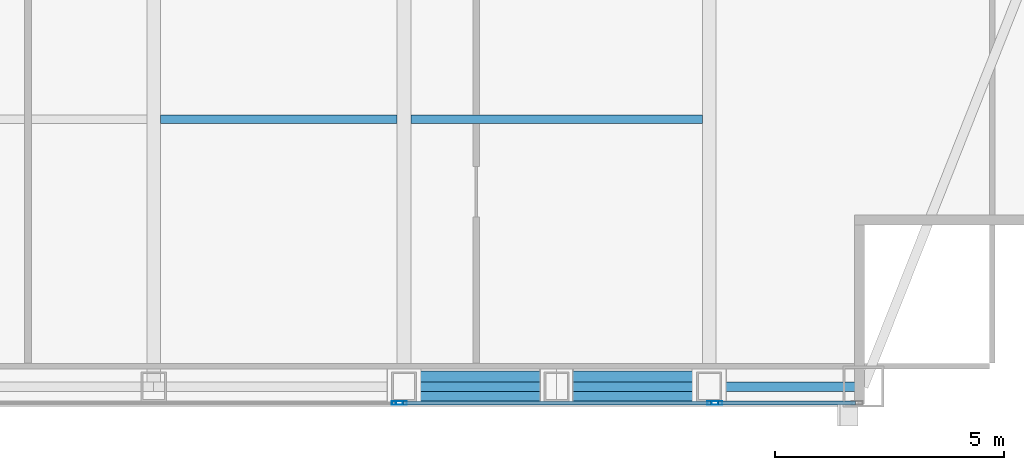
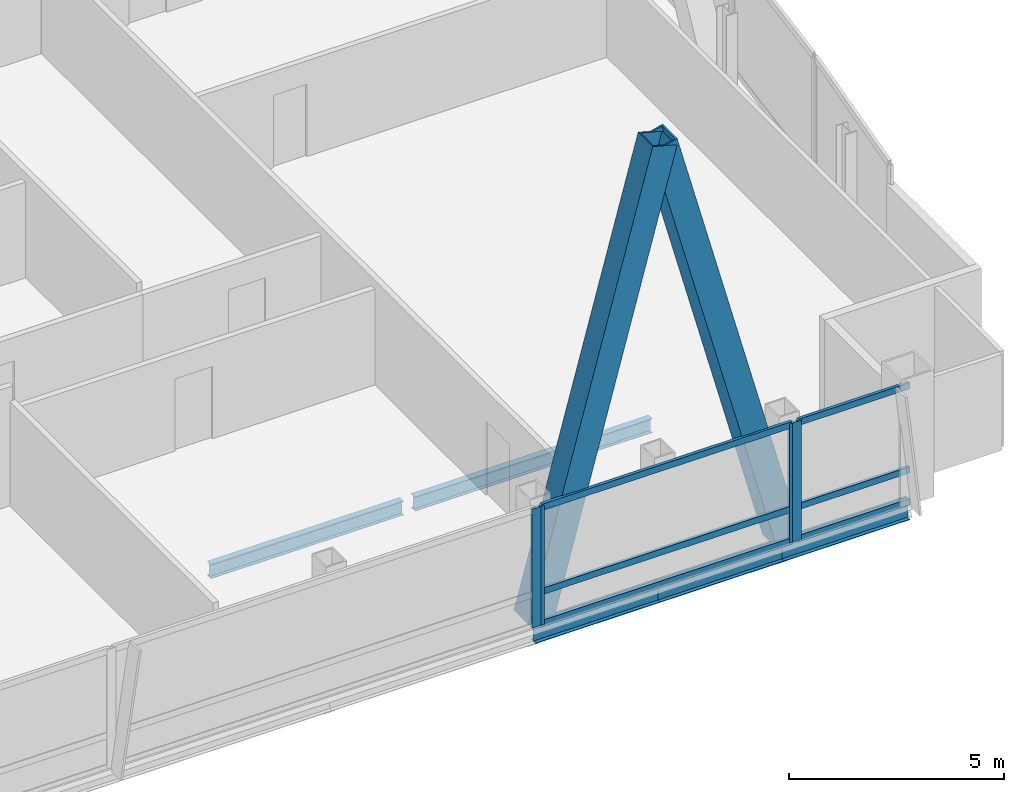
# One storey, part 13 of 29: 12 members, 5 beams, 3 elements without a shape of their own.
"""IFC4 building model written with IfcOpenShell, lengths in metres."""

from ifc_helpers import new_model, si_unit, direction, frame, origin, origin_2d, place, context, subcontext, project, spatial, hollow_rectangle, i_section, extrude, material, material_profile, profile_set, type_object, element, aggregate, save


model = new_model("IFC4")

# Units and contexts
model_context = context("Model", 3, precision=1e-05, world=origin(), true_north=direction((0.0, 1.0)))
body_context = subcontext(model_context, "Body", "Model", "MODEL_VIEW")
ifc_project = project(units=[si_unit("LENGTHUNIT", "METRE"), si_unit("AREAUNIT", "SQUARE_METRE"), si_unit("VOLUMEUNIT", "CUBIC_METRE"), si_unit("PLANEANGLEUNIT", "RADIAN"), si_unit("MASSUNIT", "GRAM", prefix="KILO")], contexts=[model_context])

# Site, building, storey
site_placement = place(None, origin())
site = spatial("IfcSite", under=ifc_project, at=site_placement, CompositionType="ELEMENT")
building_placement = place(site_placement, origin())
building = spatial("IfcBuilding", under=site, at=building_placement, Name="Khoronbel Lancet Exchange", CompositionType="ELEMENT")
storey_placement = place(building_placement, frame((0.0, 0.0, 302.199951171875)))
storey = spatial("IfcBuildingStorey", under=building, at=storey_placement, Name="L78", CompositionType="ELEMENT", Elevation=302.199951171875)

# Beams
ifc_material_1 = material(Name="Steel S355", Category="steel")
ifc_material_profile_1 = material_profile(ifc_material_1, i_section(OverallWidth=0.179931640625, OverallDepth=0.39990234375, WebThickness=0.008544921875, FlangeThickness=0.013427734375, at=origin_2d()), Name="IPE 400")
ifc_profile_set_1 = profile_set([ifc_material_profile_1], Name="Steel S355")
beam_type_1 = type_object("IfcBeamType", Name="BM-BJ5", PredefinedType="JOIST", material=ifc_profile_set_1)
beam_1_placement = place(storey_placement, frame((42.675048828125, 16.0, -0.35986328125), z_axis=(1.0, 0.0, 0.0), x_axis=(0.0, 1.0, 0.0)))
element("IfcBeam", 1, at=beam_1_placement, inside=storey, type_object=beam_type_1, Name="Level L78 secondary composite joist J04", PredefinedType="JOIST", context=body_context, shape_type="SweptSolid", body=[
    extrude(i_section(OverallWidth=0.179931640625, OverallDepth=0.39990234375, WebThickness=0.008544921875, FlangeThickness=0.013427734375, at=origin_2d()), origin(), (0.0, 0.0, 1.0), 5.175048828125),
])
beam_2_placement = place(storey_placement, frame((48.14990234375, 16.0, -0.35986328125), z_axis=(1.0, 0.0, 0.0), x_axis=(0.0, 1.0, 0.0)))
element("IfcBeam", 2, at=beam_2_placement, inside=storey, type_object=beam_type_1, Name="Level L78 secondary composite joist J05", PredefinedType="JOIST", context=body_context, shape_type="SweptSolid", body=[
    extrude(i_section(OverallWidth=0.179931640625, OverallDepth=0.39990234375, WebThickness=0.008544921875, FlangeThickness=0.013427734375, at=origin_2d()), origin(), (0.0, 0.0, 1.0), 6.375),
])
ifc_material_profile_2 = material_profile(ifc_material_1, i_section(OverallWidth=0.2099609375, OverallDepth=0.550048828125, WebThickness=0.010986328125, FlangeThickness=0.01708984375, at=origin_2d()), Name="IPE 550")
ifc_profile_set_2 = profile_set([ifc_material_profile_2], Name="Steel S355")
beam_type_2 = type_object("IfcBeamType", Name="BM-BSP3", PredefinedType="SPANDREL", material=ifc_profile_set_2)
beam_3_placement = place(storey_placement, frame((48.0, 10.14990234375, -0.43505859375), z_axis=(1.0, 0.0, 0.0), x_axis=(0.0, 1.0, 0.0)))
element("IfcBeam", 3, at=beam_3_placement, inside=storey, type_object=beam_type_2, Name="Level L78 perimeter spandrel beam SP07", PredefinedType="SPANDREL", context=body_context, shape_type="SweptSolid", body=[
    extrude(i_section(OverallWidth=0.2099609375, OverallDepth=0.550048828125, WebThickness=0.010986328125, FlangeThickness=0.01708984375, at=origin_2d()), origin(), (0.0, 0.0, 1.0), 3.33740234375),
])
beam_4_placement = place(storey_placement, frame((51.33740234375, 10.14990234375, -0.43505859375), z_axis=(1.0, 0.0, 0.0), x_axis=(0.0, 1.0, 0.0)))
element("IfcBeam", 4, at=beam_4_placement, inside=storey, type_object=beam_type_2, Name="Level L78 perimeter spandrel beam SP08", PredefinedType="SPANDREL", context=body_context, shape_type="SweptSolid", body=[
    extrude(i_section(OverallWidth=0.2099609375, OverallDepth=0.550048828125, WebThickness=0.010986328125, FlangeThickness=0.01708984375, at=origin_2d()), origin(), (0.0, 0.0, 1.0), 3.337646484375),
])
beam_5_placement = place(storey_placement, frame((54.675048828125, 10.14990234375, -0.43505859375), z_axis=(1.0, 0.0, 0.0), x_axis=(0.0, 1.0, 0.0)))
element("IfcBeam", 5, at=beam_5_placement, inside=storey, type_object=beam_type_2, Name="Level L78 perimeter spandrel beam SP09", PredefinedType="SPANDREL", context=body_context, shape_type="SweptSolid", body=[
    extrude(i_section(OverallWidth=0.2099609375, OverallDepth=0.550048828125, WebThickness=0.010986328125, FlangeThickness=0.01708984375, at=origin_2d()), origin(), (0.0, 0.0, 1.0), 3.375),
])

# Curtain wall, member
ifc_material_2 = material(Name="Low-E Solar Control Insulating Glass", Category="glass")
curtain_wall_type = type_object("IfcCurtainWallType", Name="CW-3", PredefinedType="NOTDEFINED", material=ifc_material_2)
curtain_wall_1_placement = place(storey_placement, origin())
curtain_wall_1 = element("IfcCurtainWall", 6, at=curtain_wall_1_placement, inside=storey, type_object=curtain_wall_type, Name="Unitised curtain wall CW-L78-SCV", PredefinedType="NOTDEFINED")
ifc_material_3 = material(Name="Bronze-Anodised Aluminium 6063-T6", Category="aluminium")
ifc_material_profile_3 = material_profile(ifc_material_3, hollow_rectangle(XDim=0.0849609375, YDim=0.239990234375, WallThickness=0.006103515625, at=origin_2d()), Name="ALU MULLION 85x240")
ifc_profile_set_3 = profile_set([ifc_material_profile_3], Name="Bronze-Anodised Aluminium 6063-T6")
member_type_1 = type_object("IfcMemberType", Name="MEM-CWM1", PredefinedType="MULLION", material=ifc_profile_set_3)
member_1_placement = place(storey_placement, frame((47.857421875, 9.7900390625, 0.0), z_axis=(0.0, 0.0, 1.0), x_axis=(0.0, 1.0, 0.0)))
member_1 = element("IfcMember", 7, at=member_1_placement, type_object=member_type_1, Name="CW3 mullion 3", PredefinedType="MULLION", context=body_context, shape_type="SweptSolid", body=[
    extrude(hollow_rectangle(XDim=0.0849609375, YDim=0.239990234375, WallThickness=0.006103515625, at=origin_2d()), origin(), (0.0, 0.0, 1.0), 3.380126953125),
])
aggregate(curtain_wall_1, [member_1])

# Curtain wall, members
curtain_wall_2_placement = place(storey_placement, origin())
curtain_wall_2 = element("IfcCurtainWall", 8, at=curtain_wall_2_placement, inside=storey, type_object=curtain_wall_type, Name="Unitised curtain wall CW-L78-SEB", PredefinedType="NOTDEFINED")
member_2_placement = place(storey_placement, frame((47.9423828125, 9.7900390625, 0.0), z_axis=(0.0, 0.0, 1.0), x_axis=(0.0, 1.0, 0.0)))
member_2 = element("IfcMember", 9, at=member_2_placement, type_object=member_type_1, Name="CW3 mullion 1", PredefinedType="MULLION", context=body_context, shape_type="SweptSolid", body=[
    extrude(hollow_rectangle(XDim=0.0849609375, YDim=0.239990234375, WallThickness=0.006103515625, at=origin_2d()), origin(), (0.0, 0.0, 1.0), 3.380126953125),
])
member_3_placement = place(storey_placement, frame((54.757568359375, 9.7900390625, 0.0), z_axis=(0.0, 0.0, 1.0), x_axis=(0.0, 1.0, 0.0)))
member_3 = element("IfcMember", 10, at=member_3_placement, type_object=member_type_1, Name="CW3 mullion 2", PredefinedType="MULLION", context=body_context, shape_type="SweptSolid", body=[
    extrude(hollow_rectangle(XDim=0.0849609375, YDim=0.239990234375, WallThickness=0.006103515625, at=origin_2d()), origin(), (0.0, 0.0, 1.0), 3.380126953125),
])

# Curtain wall, member
curtain_wall_3_placement = place(storey_placement, origin())
curtain_wall_3 = element("IfcCurtainWall", 11, at=curtain_wall_3_placement, inside=storey, type_object=curtain_wall_type, Name="Unitised curtain wall CW-L78-SEV", PredefinedType="NOTDEFINED")
member_4_placement = place(storey_placement, frame((54.842529296875, 9.7900390625, 0.0), z_axis=(0.0, 0.0, 1.0), x_axis=(0.0, 1.0, 0.0)))
member_4 = element("IfcMember", 12, at=member_4_placement, type_object=member_type_1, Name="CW3 mullion 1", PredefinedType="MULLION", context=body_context, shape_type="SweptSolid", body=[
    extrude(hollow_rectangle(XDim=0.0849609375, YDim=0.239990234375, WallThickness=0.006103515625, at=origin_2d()), origin(), (0.0, 0.0, 1.0), 3.380126953125),
])

# Member
ifc_material_profile_4 = material_profile(ifc_material_3, hollow_rectangle(XDim=0.0849609375, YDim=0.179931640625, WallThickness=0.0048828125, at=origin_2d()), Name="ALU TRANSOM 85x180")
ifc_profile_set_4 = profile_set([ifc_material_profile_4], Name="Bronze-Anodised Aluminium 6063-T6")
member_type_2 = type_object("IfcMemberType", Name="MEM-CWT1", PredefinedType="USERDEFINED", material=ifc_profile_set_4)
member_5_placement = place(storey_placement, frame((47.985107421875, 9.7900390625, 0.04248046875), z_axis=(1.0, 0.0, 0.0), x_axis=(0.0, 1.0, 0.0)))
member_5 = element("IfcMember", 13, at=member_5_placement, type_object=member_type_2, Name="CW3 transom 1.1", ObjectType="TRANSOM", PredefinedType="USERDEFINED", context=body_context, shape_type="SweptSolid", body=[
    extrude(hollow_rectangle(XDim=0.0849609375, YDim=0.179931640625, WallThickness=0.0048828125, at=origin_2d()), origin(), (0.0, 0.0, 1.0), 6.72998046875),
])

member_6_placement = place(storey_placement, frame((47.985107421875, 9.7900390625, 0.949951171875), z_axis=(1.0, 0.0, 0.0), x_axis=(0.0, 1.0, 0.0)))
member_6 = element("IfcMember", 14, at=member_6_placement, type_object=member_type_2, Name="CW3 transom 1.2", ObjectType="TRANSOM", PredefinedType="USERDEFINED", context=body_context, shape_type="SweptSolid", body=[
    extrude(hollow_rectangle(XDim=0.0849609375, YDim=0.179931640625, WallThickness=0.0048828125, at=origin_2d()), origin(), (0.0, 0.0, 1.0), 6.72998046875),
])

member_7_placement = place(storey_placement, frame((47.985107421875, 9.7900390625, 3.337646484375), z_axis=(1.0, 0.0, 0.0), x_axis=(0.0, 1.0, 0.0)))
member_7 = element("IfcMember", 15, at=member_7_placement, type_object=member_type_2, Name="CW3 transom 1.3", ObjectType="TRANSOM", PredefinedType="USERDEFINED", context=body_context, shape_type="SweptSolid", body=[
    extrude(hollow_rectangle(XDim=0.0849609375, YDim=0.179931640625, WallThickness=0.0048828125, at=origin_2d()), origin(), (0.0, 0.0, 1.0), 6.72998046875),
])

aggregate(curtain_wall_2, [member_2, member_3, member_5, member_6, member_7])

member_8_placement = place(storey_placement, frame((54.885009765625, 9.7900390625, 0.04248046875), z_axis=(1.0, 0.0, 0.0), x_axis=(0.0, 1.0, 0.0)))
member_8 = element("IfcMember", 16, at=member_8_placement, type_object=member_type_2, Name="CW3 transom 1.1", ObjectType="TRANSOM", PredefinedType="USERDEFINED", context=body_context, shape_type="SweptSolid", body=[
    extrude(hollow_rectangle(XDim=0.0849609375, YDim=0.179931640625, WallThickness=0.0048828125, at=origin_2d()), origin(), (0.0, 0.0, 1.0), 2.989990234375),
])

member_9_placement = place(storey_placement, frame((54.885009765625, 9.7900390625, 0.949951171875), z_axis=(1.0, 0.0, 0.0), x_axis=(0.0, 1.0, 0.0)))
member_9 = element("IfcMember", 17, at=member_9_placement, type_object=member_type_2, Name="CW3 transom 1.2", ObjectType="TRANSOM", PredefinedType="USERDEFINED", context=body_context, shape_type="SweptSolid", body=[
    extrude(hollow_rectangle(XDim=0.0849609375, YDim=0.179931640625, WallThickness=0.0048828125, at=origin_2d()), origin(), (0.0, 0.0, 1.0), 2.989990234375),
])

member_10_placement = place(storey_placement, frame((54.885009765625, 9.7900390625, 3.337646484375), z_axis=(1.0, 0.0, 0.0), x_axis=(0.0, 1.0, 0.0)))
member_10 = element("IfcMember", 18, at=member_10_placement, type_object=member_type_2, Name="CW3 transom 1.3", ObjectType="TRANSOM", PredefinedType="USERDEFINED", context=body_context, shape_type="SweptSolid", body=[
    extrude(hollow_rectangle(XDim=0.0849609375, YDim=0.179931640625, WallThickness=0.0048828125, at=origin_2d()), origin(), (0.0, 0.0, 1.0), 2.989990234375),
])

aggregate(curtain_wall_3, [member_4, member_8, member_9, member_10])

# Members
ifc_material_4 = material(Name="Steel S460", Category="steel")
ifc_material_profile_5 = material_profile(ifc_material_4, hollow_rectangle(XDim=0.679931640625, YDim=0.679931640625, WallThickness=0.044921875, at=origin_2d()), Name="BOX 680x680x45")
ifc_profile_set_5 = profile_set([ifc_material_profile_5], Name="Steel S460")
member_type_3 = type_object("IfcMemberType", Name="MEM-MB3", PredefinedType="BRACE", material=ifc_profile_set_5)
member_11_placement = place(storey_placement, frame((48.0, 10.14990234375, 0.0), z_axis=(0.259893700935, 0.0, 0.965637232202), x_axis=(0.0, 1.0, 0.0)))
element("IfcMember", 19, at=member_11_placement, inside=storey, type_object=member_type_3, Name="Perimeter lancet brace tier 27 S-E-L", PredefinedType="BRACE", context=body_context, shape_type="SweptSolid", body=[
    extrude(hollow_rectangle(XDim=0.679931640625, YDim=0.679931640625, WallThickness=0.044921875, at=origin_2d()), origin(), (0.0, 0.0, 1.0), 12.84130859375),
])
member_12_placement = place(storey_placement, frame((54.675048828125, 10.14990234375, 0.0), z_axis=(-0.25991142862, 0.0, 0.96563246076), x_axis=(0.0, -1.0, 0.0)))
element("IfcMember", 20, at=member_12_placement, inside=storey, type_object=member_type_3, Name="Perimeter lancet brace tier 27 S-E-R", PredefinedType="BRACE", context=body_context, shape_type="SweptSolid", body=[
    extrude(hollow_rectangle(XDim=0.679931640625, YDim=0.679931640625, WallThickness=0.044921875, at=origin_2d()), origin(), (0.0, 0.0, 1.0), 12.841552734375),
])

save(model, "model.ifc")
